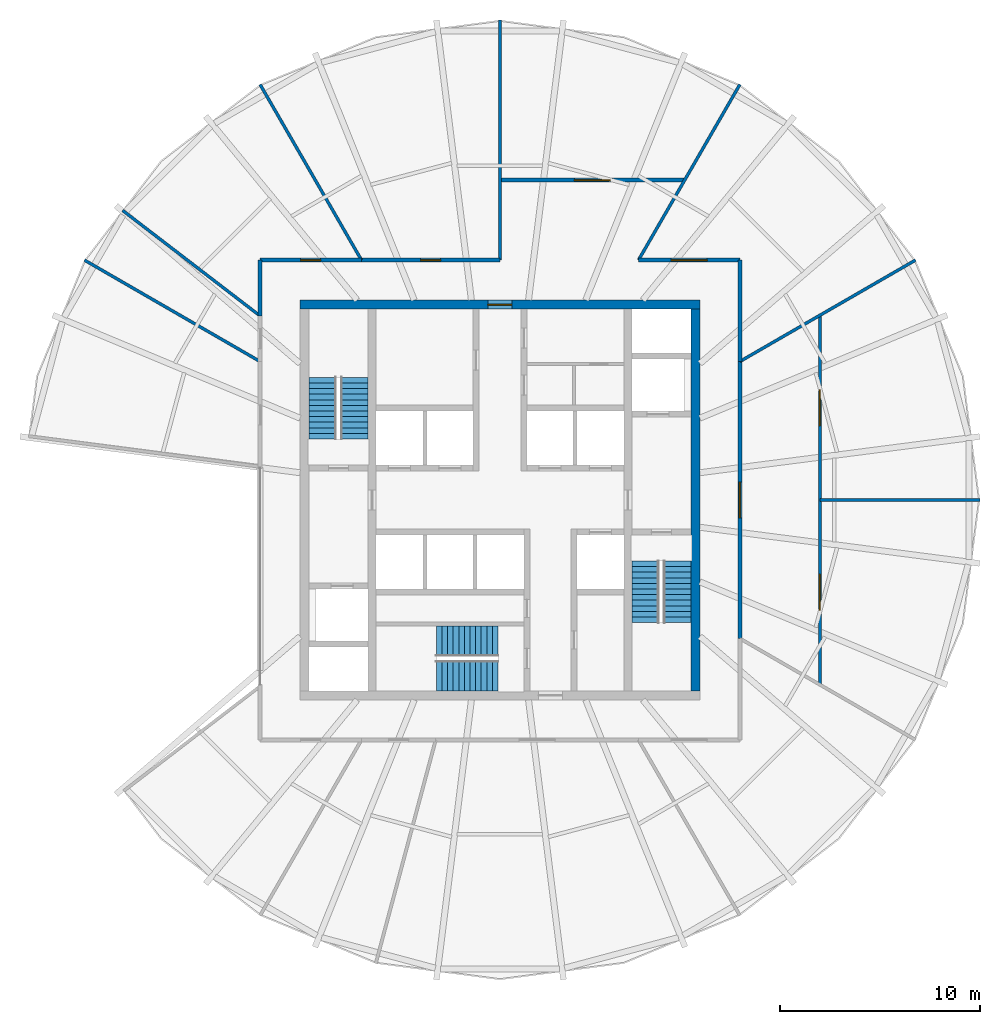
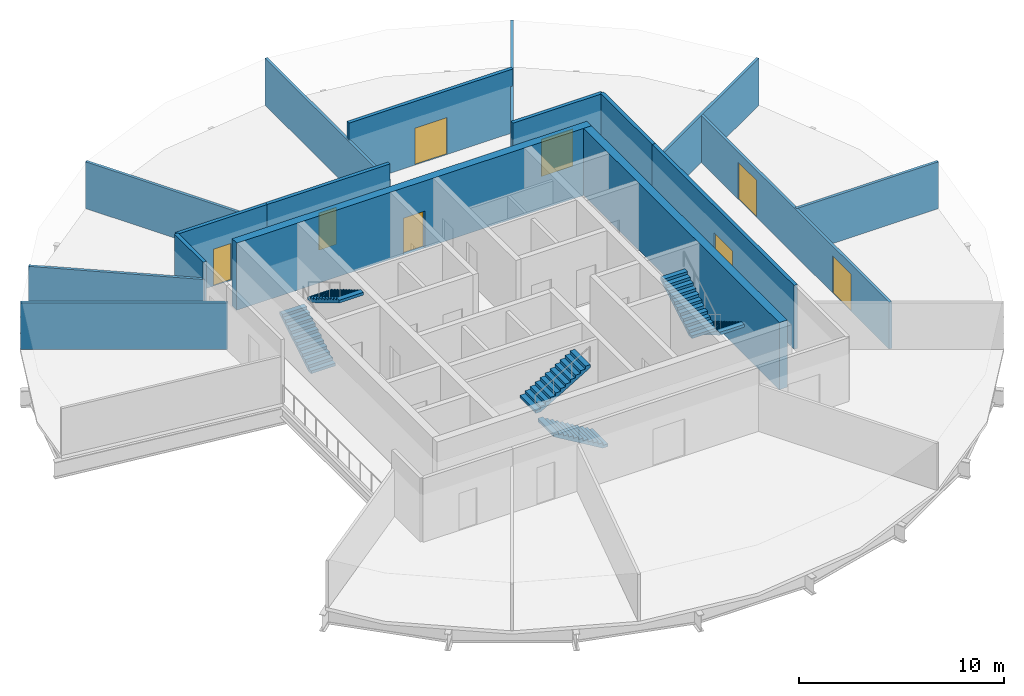
# One storey, part 4 of 5: 17 walls, 8 doors, 6 stair flights, 8 openings, 3 elements without a shape of their own.
"""IFC4 building model written with IfcOpenShell, lengths in metres."""

import ifcopenshell
import ifcopenshell.guid

model = None  # the IFC model being written
_history = None  # IfcOwnerHistory: only IFC2X3 demands one
_inside = {}  # id of a spatial element -> (the spatial element, [elements in it])
_under = {}  # id of a project, library or spatial element -> (it, [spatial elements below it])
_declared = {}  # id of a project -> (the project, [libraries it declares])
_typed = {}  # id of a type object -> (the type object, [elements of that type])
_made_of = {}  # id of a material, layer set ... -> (it, [elements and type objects made of it])


def new_model(schema):
    """Start an empty IFC model of exactly this schema.

    Asked for "IFC4X3", IfcOpenShell would pick the latest addendum, in which some entities
    have other attributes; the version numbers below select the first issue.
    IFC2X3 requires an IfcOwnerHistory on every rooted entity: one is made here for all.
    """
    global model, _history
    if schema == "IFC4X3":
        model = ifcopenshell.file(schema_version=(4, 3, 0, 0))
    else:
        model = ifcopenshell.file(schema=schema)
    _inside.clear()
    _under.clear()
    _declared.clear()
    _typed.clear()
    _made_of.clear()
    _history = None
    if model.schema == "IFC2X3":
        org = make("IfcOrganization", Name="unknown")
        user = make(
            "IfcPersonAndOrganization",
            ThePerson=make("IfcPerson", FamilyName="unknown"),
            TheOrganization=org,
        )
        app = make(
            "IfcApplication",
            ApplicationDeveloper=org,
            Version="unknown",
            ApplicationFullName="unknown",
            ApplicationIdentifier="unknown",
        )
        _history = make(
            "IfcOwnerHistory",
            OwningUser=user,
            OwningApplication=app,
            ChangeAction="ADDED",
            CreationDate=0,
        )
    return model


def make(cls, **values):
    """One entity of the class cls with the attributes given. An attribute that is None is left unset."""
    return model.create_entity(
        cls, **{name: value for name, value in values.items() if value is not None}
    )


def rooted(cls, **values):
    """An entity with a GlobalId (a new one), such as an element, a storey or a relation."""
    return make(cls, GlobalId=ifcopenshell.guid.new(), OwnerHistory=_history, **values)


def si_unit(unit_type, name, prefix=None):
    """IfcSIUnit, for example si_unit("LENGTHUNIT", "METRE", prefix="MILLI")."""
    return make("IfcSIUnit", UnitType=unit_type, Prefix=prefix, Name=name)


def assignment(units):
    """IfcUnitAssignment: the units of a project."""
    return None if units is None else make("IfcUnitAssignment", Units=units)


def point(xyz):
    """IfcCartesianPoint."""
    return None if xyz is None else make("IfcCartesianPoint", Coordinates=xyz)


def direction(xyz):
    """IfcDirection."""
    return None if xyz is None else make("IfcDirection", DirectionRatios=xyz)


def frame(location, z_axis=None, x_axis=None):
    """IfcAxis2Placement3D, a coordinate frame: its origin and axes. An axis left out is left unset."""
    return make(
        "IfcAxis2Placement3D",
        Location=point(location),
        Axis=direction(z_axis),
        RefDirection=direction(x_axis),
    )


def frame_2d(location, x_axis=None):
    """IfcAxis2Placement2D, a coordinate frame in the plane: its origin and x axis."""
    return make(
        "IfcAxis2Placement2D", Location=point(location), RefDirection=direction(x_axis)
    )


def origin():
    """The frame at (0, 0, 0) with its axes left unset."""
    return frame((0.0, 0.0, 0.0))


def place(relative_to, where):
    """IfcLocalPlacement: puts the frame where relative to a parent placement (None: the world)."""
    return make(
        "IfcLocalPlacement", PlacementRelTo=relative_to, RelativePlacement=where
    )


def context(
    kind, dimensions, precision=None, world=None, true_north=None, identifier=None
):
    """IfcGeometricRepresentationContext, for example the 3D "Model" context."""
    return make(
        "IfcGeometricRepresentationContext",
        ContextIdentifier=identifier,
        ContextType=kind,
        CoordinateSpaceDimension=dimensions,
        Precision=precision,
        WorldCoordinateSystem=world,
        TrueNorth=true_north,
    )


def subcontext(parent, identifier, kind, view, scale=None):
    """IfcGeometricRepresentationSubContext, for example "Body" below "Model"."""
    return make(
        "IfcGeometricRepresentationSubContext",
        ContextIdentifier=identifier,
        ContextType=kind,
        ParentContext=parent,
        TargetScale=scale,
        TargetView=view,
    )


def project(units=None, contexts=None):
    """IfcProject with its units and contexts."""
    return rooted(
        "IfcProject",
        Name="project",
        RepresentationContexts=contexts,
        UnitsInContext=assignment(units),
    )


def spatial(cls, under=None, at=None, **own):
    """A site, building, storey or space (cls), placed at a placement, below another one or the project."""
    s = rooted(cls, ObjectPlacement=at, **own)
    if under is not None:
        _under.setdefault(under.id(), (under, []))[1].append(s)
    return s


def polyline(points):
    """IfcPolyline through the points."""
    return make("IfcPolyline", Points=[point(p) for p in points])


def profile(cls, at=None, kind="AREA", **sizes):
    """A parametric profile (cls). Its sizes go by their IFC names, for example OverallWidth=200.0."""
    return make(cls, ProfileType=kind, Position=at, **sizes)


def rectangle(**sizes):
    """IfcRectangleProfileDef."""
    return profile("IfcRectangleProfileDef", **sizes)


def outline(outer, holes=None, kind="AREA"):
    """IfcArbitraryClosedProfileDef: a profile drawn as a closed curve; with holes, ...WithVoids."""
    if holes is None:
        return make("IfcArbitraryClosedProfileDef", ProfileType=kind, OuterCurve=outer)
    return make(
        "IfcArbitraryProfileDefWithVoids",
        ProfileType=kind,
        OuterCurve=outer,
        InnerCurves=holes,
    )


def extrude(swept, where, along, depth):
    """IfcExtrudedAreaSolid: the profile swept, set in the frame where, extruded along a direction by depth."""
    return make(
        "IfcExtrudedAreaSolid",
        SweptArea=swept,
        Position=where,
        ExtrudedDirection=direction(along),
        Depth=depth,
    )


def shape(context_of_items, identifier, shape_type, items):
    """IfcShapeRepresentation: the items that make up one representation, for example the "Body"."""
    return make(
        "IfcShapeRepresentation",
        ContextOfItems=context_of_items,
        RepresentationIdentifier=identifier,
        RepresentationType=shape_type,
        Items=items,
    )


def material(Name=None, Category=None):
    """IfcMaterial."""
    return make("IfcMaterial", Name=Name, Category=Category)


def layer(
    of_material, thickness, ventilated=None, Name=None, Category=None, Priority=None
):
    """IfcMaterialLayer: one layer of a wall or slab, of a material (None: an air gap)."""
    return make(
        "IfcMaterialLayer",
        Material=of_material,
        LayerThickness=thickness,
        IsVentilated=ventilated,
        Name=Name,
        Category=Category,
        Priority=Priority,
    )


def layer_set(layers, Name=None):
    """IfcMaterialLayerSet."""
    return make("IfcMaterialLayerSet", MaterialLayers=layers, LayerSetName=Name)


def made_of(thing, what):
    """Note that an element or type object is made of a material, layer set ...; save() writes the relation."""
    if what is not None:
        _made_of.setdefault(what.id(), (what, []))[1].append(thing)
    return thing


def type_object(cls, material=None, **own):
    """A type object (cls), such as IfcWallType, which elements share."""
    return made_of(rooted(cls, **own), material)


def element(
    cls,
    number,
    at=None,
    inside=None,
    cuts=None,
    type_object=None,
    material=None,
    context=None,
    identifier="Body",
    shape_type=None,
    held_by="IfcProductDefinitionShape",
    body=None,
    shapes=None,
    **own,
):
    """One element of the class cls, such as IfcWall. Its Tag is "e" and its number.

    at: its placement. inside: the storey or other place that contains it. cuts: it is an
    opening in that element (IfcRelVoidsElement). A single representation is given by context,
    identifier, shape_type and body (its items); several are given by shapes. held_by: the class
    of the entity that holds the representations. save() writes the other relations.
    """
    e = rooted(cls, Tag="e%d" % number, ObjectPlacement=at, **own)
    if body is not None:
        shapes = [shape(context, identifier, shape_type, body)]
    if shapes is not None:
        e.Representation = make(held_by, Representations=shapes)
    if inside is not None:
        _inside.setdefault(inside.id(), (inside, []))[1].append(e)
    if cuts is not None:
        rooted(
            "IfcRelVoidsElement", RelatingBuildingElement=cuts, RelatedOpeningElement=e
        )
    if type_object is not None:
        _typed.setdefault(type_object.id(), (type_object, []))[1].append(e)
    return made_of(e, material)


def fill(opening, filler):
    """IfcRelFillsElement: the door or window that sits in an opening."""
    return rooted(
        "IfcRelFillsElement",
        RelatingOpeningElement=opening,
        RelatedBuildingElement=filler,
    )


def aggregate(whole, parts):
    """IfcRelAggregates: a whole, such as a stair, and the parts it consists of."""
    return rooted("IfcRelAggregates", RelatingObject=whole, RelatedObjects=parts)


def save(model, path):
    """Write the relations noted so far, then the file.

    IfcRelAggregates (storeys below a building ...), IfcRelContainedInSpatialStructure (elements
    in a storey), IfcRelDefinesByType, IfcRelAssociatesMaterial and IfcRelDeclares: one each for
    every whole, place, type object, material and project.
    """
    for whole, parts in _under.values():
        aggregate(whole, parts)
    for where, things in _inside.values():
        rooted(
            "IfcRelContainedInSpatialStructure",
            RelatedElements=things,
            RelatingStructure=where,
        )
    for kind, things in _typed.values():
        rooted("IfcRelDefinesByType", RelatedObjects=things, RelatingType=kind)
    for what, things in _made_of.values():
        rooted("IfcRelAssociatesMaterial", RelatedObjects=things, RelatingMaterial=what)
    for by, libraries in _declared.values():
        rooted("IfcRelDeclares", RelatingContext=by, RelatedDefinitions=libraries)
    model.write(path)


model = new_model("IFC4")

# Units and contexts
model_context = context("Model", 3, precision=1e-05, world=origin(), true_north=direction((0.0, 1.0)))
body_context = subcontext(model_context, "Body", "Model", "MODEL_VIEW")
ifc_project = project(units=[si_unit("LENGTHUNIT", "METRE"), si_unit("AREAUNIT", "SQUARE_METRE"), si_unit("VOLUMEUNIT", "CUBIC_METRE"), si_unit("PLANEANGLEUNIT", "RADIAN"), si_unit("MASSUNIT", "GRAM", prefix="KILO")], contexts=[model_context])

# Site, building, storey
site_placement = place(None, origin())
site = spatial("IfcSite", under=ifc_project, at=site_placement, CompositionType="ELEMENT")
building_placement = place(site_placement, origin())
building = spatial("IfcBuilding", under=site, at=building_placement, Name="Golbaran Civic Tower", CompositionType="ELEMENT")
storey_placement = place(building_placement, frame((0.0, 0.0, 175.0)))
storey = spatial("IfcBuildingStorey", under=building, at=storey_placement, Name="L42", CompositionType="ELEMENT", Elevation=175.0)

# Wall, opening, door
ifc_material_1 = material(Name="Concrete C50/60", Category="concrete")
ifc_layer_1 = layer(ifc_material_1, 0.449951171875, Name="Concrete C50/60")
ifc_layer_set_1 = layer_set([ifc_layer_1], Name="Concrete C50/60")
wall_type_1 = type_object("IfcWallType", Name="CORE WALL CONCRETE 450", PredefinedType="SOLIDWALL", material=ifc_layer_set_1)
wall_1_placement = place(storey_placement, frame((-10.0, 9.77490234375, 0.0), z_axis=(0.0, 0.0, 1.0), x_axis=(1.0, 0.0, 0.0)))
wall_1 = element("IfcWall", 1, at=wall_1_placement, inside=storey, type_object=wall_type_1, Name="Core wall CN L42", PredefinedType="SOLIDWALL", context=body_context, shape_type="SweptSolid", body=[
    extrude(rectangle(XDim=20.0, YDim=0.449951171875, at=frame_2d((10.0, 0.0))), origin(), (0.0, 0.0, 1.0), 4.0),
])
opening_1_placement = place(wall_1_placement, frame((9.39990234375, 0.0, 0.0)))
opening_1 = element("IfcOpeningElement", 2, at=opening_1_placement, cuts=wall_1, Name="Opening L42.CN", PredefinedType="OPENING", context=body_context, shape_type="SweptSolid", body=[
    extrude(rectangle(XDim=1.199951171875, YDim=2.199951171875, at=frame_2d((0.60009765625, 1.10009765625))), frame((0.0, 0.23486328125, 0.0), z_axis=(0.0, -1.0, 0.0), x_axis=(1.0, 0.0, 0.0)), (0.0, 0.0, 1.0), 0.469970703125),
])
ifc_material_2 = material(Name="Timber door set in steel frame", Category="steel")
door_type_1 = type_object("IfcDoorType", Name="CORE DOOR 1200x2200", OperationType="DOUBLE_DOOR_SINGLE_SWING", PredefinedType="DOOR", material=ifc_material_2)
door_1_placement = place(opening_1_placement, origin())
door_1 = element("IfcDoor", 3, at=door_1_placement, inside=storey, type_object=door_type_1, Name="Core door north", OperationType="DOUBLE_DOOR_SINGLE_SWING", OverallHeight=2.199951171875, OverallWidth=1.199951171875, PredefinedType="DOOR", context=body_context, shape_type="SweptSolid", body=[
    extrude(rectangle(XDim=1.199951171875, YDim=2.199951171875, at=frame_2d((0.60009765625, 1.10009765625))), frame((0.0, 0.02490234375, 0.0), z_axis=(0.0, -1.0, 0.0), x_axis=(1.0, 0.0, 0.0)), (0.0, 0.0, 1.0), 0.050048828125),
])
fill(opening_1, door_1)

# Wall
wall_2_placement = place(storey_placement, frame((9.77490234375, -9.550048828125, 0.0), z_axis=(0.0, 0.0, 1.0), x_axis=(0.0, 1.0, 0.0)))
element("IfcWall", 4, at=wall_2_placement, inside=storey, type_object=wall_type_1, Name="Core wall CE L42", PredefinedType="SOLIDWALL", context=body_context, shape_type="SweptSolid", body=[
    extrude(rectangle(XDim=19.10009765625, YDim=0.449951171875, at=frame_2d((9.550048828125, 0.0))), origin(), (0.0, 0.0, 1.0), 4.0),
])

# Wall, opening, door
ifc_material_3 = material(Name="Gypsum board on steel studs, fire-rated", Category="steel")
ifc_layer_2 = layer(ifc_material_3, 0.199951171875, Name="Gypsum board on steel studs, fire-rated")
ifc_layer_set_2 = layer_set([ifc_layer_2], Name="Gypsum board on steel studs, fire-rated")
wall_type_2 = type_object("IfcWallType", Name="CORRIDOR WALL 200", PredefinedType="PARTITIONING", material=ifc_layer_set_2)
wall_3_placement = place(storey_placement, frame((12.0, -6.92822265625, 0.0), z_axis=(0.0, 0.0, 1.0), x_axis=(0.0, 1.0, 0.0)))
wall_3 = element("IfcWall", 5, at=wall_3_placement, inside=storey, type_object=wall_type_2, Name="Corridor wall L42", PredefinedType="PARTITIONING", context=body_context, shape_type="SweptSolid", body=[
    extrude(rectangle(XDim=13.8564453125, YDim=0.199951171875, at=frame_2d((6.92822265625, 0.0))), origin(), (0.0, 0.0, 1.0), 3.800048828125),
])
opening_2_placement = place(wall_3_placement, frame((6.0283203125, 0.0, 0.0)))
opening_2 = element("IfcOpeningElement", 6, at=opening_2_placement, cuts=wall_3, Name="Opening L42.04", PredefinedType="OPENING", context=body_context, shape_type="SweptSolid", body=[
    extrude(rectangle(XDim=1.800048828125, YDim=2.199951171875, at=frame_2d((0.89990234375, 1.10009765625))), frame((0.0, 0.10986328125, 0.0), z_axis=(0.0, -1.0, 0.0), x_axis=(1.0, 0.0, 0.0)), (0.0, 0.0, 1.0), 0.219970703125),
])
door_type_2 = type_object("IfcDoorType", Name="OFFICE DOUBLE DOOR 1800x2200", OperationType="DOUBLE_DOOR_SINGLE_SWING", PredefinedType="DOOR", material=ifc_material_2)
door_2_placement = place(opening_2_placement, origin())
door_2 = element("IfcDoor", 7, at=door_2_placement, inside=storey, type_object=door_type_2, Name="Open Office door L42", OperationType="DOUBLE_DOOR_SINGLE_SWING", OverallHeight=2.199951171875, OverallWidth=1.800048828125, PredefinedType="DOOR", context=body_context, shape_type="SweptSolid", body=[
    extrude(rectangle(XDim=1.800048828125, YDim=2.199951171875, at=frame_2d((0.89990234375, 1.10009765625))), frame((0.0, 0.02490234375, 0.0), z_axis=(0.0, -1.0, 0.0), x_axis=(1.0, 0.0, 0.0)), (0.0, 0.0, 1.0), 0.050048828125),
])
fill(opening_2, door_2)

# Wall
wall_4_placement = place(storey_placement, frame((12.0, 6.92822265625, 0.0), z_axis=(0.0, 0.0, 1.0), x_axis=(0.0, 1.0, 0.0)))
element("IfcWall", 8, at=wall_4_placement, inside=storey, type_object=wall_type_2, Name="Corridor wall L42", PredefinedType="PARTITIONING", context=body_context, shape_type="SweptSolid", body=[
    extrude(rectangle(XDim=5.07177734375, YDim=0.199951171875, at=frame_2d((2.535888671875, 0.0))), origin(), (0.0, 0.0, 1.0), 3.800048828125),
])

# Wall, opening, door
wall_5_placement = place(storey_placement, frame((12.0, 12.0, 0.0), z_axis=(0.0, 0.0, 1.0), x_axis=(-1.0, 0.0, 0.0)))
wall_5 = element("IfcWall", 9, at=wall_5_placement, inside=storey, type_object=wall_type_2, Name="Corridor wall L42", PredefinedType="PARTITIONING", context=body_context, shape_type="SweptSolid", body=[
    extrude(rectangle(XDim=5.07177734375, YDim=0.199951171875, at=frame_2d((2.535888671875, 0.0))), origin(), (0.0, 0.0, 1.0), 3.800048828125),
])
opening_3_placement = place(wall_5_placement, frame((1.635986328125, 0.0, 0.0)))
opening_3 = element("IfcOpeningElement", 10, at=opening_3_placement, cuts=wall_5, Name="Opening L42.05", PredefinedType="OPENING", context=body_context, shape_type="SweptSolid", body=[
    extrude(rectangle(XDim=1.800048828125, YDim=2.199951171875, at=frame_2d((0.89990234375, 1.10009765625))), frame((0.0, 0.10986328125, 0.0), z_axis=(0.0, -1.0, 0.0), x_axis=(1.0, 0.0, 0.0)), (0.0, 0.0, 1.0), 0.219970703125),
])
door_3_placement = place(opening_3_placement, origin())
door_3 = element("IfcDoor", 11, at=door_3_placement, inside=storey, type_object=door_type_2, Name="Open Office door L42", OperationType="DOUBLE_DOOR_SINGLE_SWING", OverallHeight=2.199951171875, OverallWidth=1.800048828125, PredefinedType="DOOR", context=body_context, shape_type="SweptSolid", body=[
    extrude(rectangle(XDim=1.800048828125, YDim=2.199951171875, at=frame_2d((0.89990234375, 1.10009765625))), frame((0.0, 0.02490234375, 0.0), z_axis=(0.0, -1.0, 0.0), x_axis=(1.0, 0.0, 0.0)), (0.0, 0.0, 1.0), 0.050048828125),
])
fill(opening_3, door_3)

wall_6_placement = place(storey_placement, frame((0.0, 12.0, 0.0), z_axis=(0.0, 0.0, 1.0), x_axis=(-1.0, 0.0, 0.0)))
wall_6 = element("IfcWall", 12, at=wall_6_placement, inside=storey, type_object=wall_type_2, Name="Corridor wall L42", PredefinedType="PARTITIONING", context=body_context, shape_type="SweptSolid", body=[
    extrude(rectangle(XDim=6.92822265625, YDim=0.199951171875, at=frame_2d((3.464111328125, 0.0))), origin(), (0.0, 0.0, 1.0), 3.800048828125),
])
opening_4_placement = place(wall_6_placement, frame((2.964111328125, 0.0, 0.0)))
opening_4 = element("IfcOpeningElement", 13, at=opening_4_placement, cuts=wall_6, Name="Opening L42.06", PredefinedType="OPENING", context=body_context, shape_type="SweptSolid", body=[
    extrude(rectangle(XDim=1.0, YDim=2.199951171875, at=frame_2d((0.5, 1.10009765625))), frame((0.0, 0.10986328125, 0.0), z_axis=(0.0, -1.0, 0.0), x_axis=(1.0, 0.0, 0.0)), (0.0, 0.0, 1.0), 0.219970703125),
])
door_type_3 = type_object("IfcDoorType", Name="OFFICE DOOR 1000x2200", OperationType="SINGLE_SWING_LEFT", PredefinedType="DOOR", material=ifc_material_2)
door_4_placement = place(opening_4_placement, origin())
door_4 = element("IfcDoor", 14, at=door_4_placement, inside=storey, type_object=door_type_3, Name="Project Room door L42", OperationType="SINGLE_SWING_RIGHT", OverallHeight=2.199951171875, OverallWidth=1.0, PredefinedType="DOOR", context=body_context, shape_type="SweptSolid", body=[
    extrude(rectangle(XDim=1.0, YDim=2.199951171875, at=frame_2d((0.5, 1.10009765625))), frame((0.0, 0.02490234375, 0.0), z_axis=(0.0, -1.0, 0.0), x_axis=(1.0, 0.0, 0.0)), (0.0, 0.0, 1.0), 0.050048828125),
])
fill(opening_4, door_4)

wall_7_placement = place(storey_placement, frame((-6.92822265625, 12.0, 0.0), z_axis=(0.0, 0.0, 1.0), x_axis=(-1.0, 0.0, 0.0)))
wall_7 = element("IfcWall", 15, at=wall_7_placement, inside=storey, type_object=wall_type_2, Name="Corridor wall L42", PredefinedType="PARTITIONING", context=body_context, shape_type="SweptSolid", body=[
    extrude(rectangle(XDim=5.07177734375, YDim=0.199951171875, at=frame_2d((2.535888671875, 0.0))), origin(), (0.0, 0.0, 1.0), 3.800048828125),
])
opening_5_placement = place(wall_7_placement, frame((2.035888671875, 0.0, 0.0)))
opening_5 = element("IfcOpeningElement", 16, at=opening_5_placement, cuts=wall_7, Name="Opening L42.07", PredefinedType="OPENING", context=body_context, shape_type="SweptSolid", body=[
    extrude(rectangle(XDim=1.0, YDim=2.199951171875, at=frame_2d((0.5, 1.10009765625))), frame((0.0, 0.10986328125, 0.0), z_axis=(0.0, -1.0, 0.0), x_axis=(1.0, 0.0, 0.0)), (0.0, 0.0, 1.0), 0.219970703125),
])
door_5_placement = place(opening_5_placement, origin())
door_5 = element("IfcDoor", 17, at=door_5_placement, inside=storey, type_object=door_type_3, Name="Print and Copy Room door L42", OperationType="SINGLE_SWING_RIGHT", OverallHeight=2.199951171875, OverallWidth=1.0, PredefinedType="DOOR", context=body_context, shape_type="SweptSolid", body=[
    extrude(rectangle(XDim=1.0, YDim=2.199951171875, at=frame_2d((0.5, 1.10009765625))), frame((0.0, 0.02490234375, 0.0), z_axis=(0.0, -1.0, 0.0), x_axis=(1.0, 0.0, 0.0)), (0.0, 0.0, 1.0), 0.050048828125),
])
fill(opening_5, door_5)

# Wall
wall_8_placement = place(storey_placement, frame((-12.0, 12.0, 0.0), z_axis=(0.0, 0.0, 1.0), x_axis=(0.0, -1.0, 0.0)))
element("IfcWall", 18, at=wall_8_placement, inside=storey, type_object=wall_type_2, Name="Corridor wall L42", PredefinedType="PARTITIONING", context=body_context, shape_type="SweptSolid", body=[
    extrude(rectangle(XDim=2.7919921875, YDim=0.199951171875, at=frame_2d((1.39599609375, 0.0))), origin(), (0.0, 0.0, 1.0), 3.800048828125),
])

# Wall, opening, door
ifc_material_4 = material(Name="Gypsum board on steel studs, fire-rated, glazed panels", Category="steel")
ifc_layer_3 = layer(ifc_material_4, 0.199951171875, Name="Gypsum board on steel studs, fire-rated, glazed panels")
ifc_layer_set_3 = layer_set([ifc_layer_3], Name="Gypsum board on steel studs, fire-rated, glazed panels")
wall_type_3 = type_object("IfcWallType", Name="GALLERY WALL 200", PredefinedType="PARTITIONING", material=ifc_layer_set_3)
wall_9_placement = place(storey_placement, frame((9.237548828125, 16.0, 0.0), z_axis=(0.0, 0.0, 1.0), x_axis=(-1.0, 0.0, 0.0)))
wall_9 = element("IfcWall", 19, at=wall_9_placement, inside=storey, type_object=wall_type_3, Name="Gallery wall L42", PredefinedType="PARTITIONING", context=body_context, shape_type="SweptSolid", body=[
    extrude(rectangle(XDim=9.237548828125, YDim=0.199951171875, at=frame_2d((4.61865234375, 0.0))), origin(), (0.0, 0.0, 1.0), 3.800048828125),
])
opening_6_placement = place(wall_9_placement, frame((3.71875, 0.0, 0.0)))
opening_6 = element("IfcOpeningElement", 20, at=opening_6_placement, cuts=wall_9, Name="Opening L42.03", PredefinedType="OPENING", context=body_context, shape_type="SweptSolid", body=[
    extrude(rectangle(XDim=1.800048828125, YDim=2.199951171875, at=frame_2d((0.89990234375, 1.10009765625))), frame((0.0, 0.10986328125, 0.0), z_axis=(0.0, -1.0, 0.0), x_axis=(1.0, 0.0, 0.0)), (0.0, 0.0, 1.0), 0.219970703125),
])
door_6_placement = place(opening_6_placement, origin())
door_6 = element("IfcDoor", 21, at=door_6_placement, inside=storey, type_object=door_type_2, Name="Office door L42", OperationType="DOUBLE_DOOR_SINGLE_SWING", OverallHeight=2.199951171875, OverallWidth=1.800048828125, PredefinedType="DOOR", context=body_context, shape_type="SweptSolid", body=[
    extrude(rectangle(XDim=1.800048828125, YDim=2.199951171875, at=frame_2d((0.89990234375, 1.10009765625))), frame((0.0, 0.02490234375, 0.0), z_axis=(0.0, -1.0, 0.0), x_axis=(1.0, 0.0, 0.0)), (0.0, 0.0, 1.0), 0.050048828125),
])
fill(opening_6, door_6)

# Walls
ifc_material_5 = material(Name="Gypsum board on steel studs", Category="steel")
ifc_layer_4 = layer(ifc_material_5, 0.14990234375, Name="Gypsum board on steel studs")
ifc_layer_set_4 = layer_set([ifc_layer_4], Name="Gypsum board on steel studs")
wall_type_4 = type_object("IfcWallType", Name="OFFICE PARTITION 150", PredefinedType="PARTITIONING", material=ifc_layer_set_4)
for number, where, z_axis, x_axis, name in (
    (22, (12.0, 6.92822265625, 0.0), (0.0, 0.0, 1.0), (0.866025941747, 0.49999906822, 0.0), "Partition 30 L42"),
    (23, (6.92822265625, 12.0, 0.0), (0.0, 0.0, 1.0), (0.49999906822, 0.866025941747, 0.0), "Partition 60 L42"),
):
    element("IfcWall", number, at=place(storey_placement, frame(where, z_axis=z_axis, x_axis=x_axis)), inside=storey, type_object=wall_type_4, Name=name, PredefinedType="PARTITIONING", context=body_context, shape_type="SweptSolid", body=[
        extrude(rectangle(XDim=10.1357421875, YDim=0.14990234375, at=frame_2d((5.06787109375, 0.0))), origin(), (0.0, 0.0, 1.0), 2.7900390625),
    ])
wall_10_placement = place(storey_placement, frame((0.0, 12.0, 0.0), z_axis=(0.0, 0.0, 1.0), x_axis=(0.0, 1.0, 0.0)))
element("IfcWall", 24, at=wall_10_placement, inside=storey, type_object=wall_type_4, Name="Partition 90 L42", PredefinedType="PARTITIONING", context=body_context, shape_type="SweptSolid", body=[
    extrude(rectangle(XDim=11.9921875, YDim=0.14990234375, at=frame_2d((5.99609375, 0.0))), origin(), (0.0, 0.0, 1.0), 2.7900390625),
])
wall_11_placement = place(storey_placement, frame((-6.92822265625, 12.0, 0.0), z_axis=(0.0, 0.0, 1.0), x_axis=(-0.49999906822, 0.866025941747, 0.0)))
element("IfcWall", 25, at=wall_11_placement, inside=storey, type_object=wall_type_4, Name="Partition 120 L42", PredefinedType="PARTITIONING", context=body_context, shape_type="SweptSolid", body=[
    extrude(rectangle(XDim=10.1357421875, YDim=0.14990234375, at=frame_2d((5.06787109375, 0.0))), origin(), (0.0, 0.0, 1.0), 2.7900390625),
])
wall_12_placement = place(storey_placement, frame((-12.0, 9.2080078125, 0.0), z_axis=(0.0, 0.0, 1.0), x_axis=(-0.793369477609, 0.60874039787, 0.0)))
element("IfcWall", 26, at=wall_12_placement, inside=storey, type_object=wall_type_4, Name="Partition 142.5 L42", PredefinedType="PARTITIONING", context=body_context, shape_type="SweptSolid", body=[
    extrude(rectangle(XDim=8.661376953125, YDim=0.14990234375, at=frame_2d((4.33056640625, 0.0))), origin(), (0.0, 0.0, 1.0), 2.7900390625),
])
wall_13_placement = place(storey_placement, frame((-12.0, 6.92822265625, 0.0), z_axis=(0.0, 0.0, 1.0), x_axis=(-0.866025941747, 0.49999906822, 0.0)))
element("IfcWall", 27, at=wall_13_placement, inside=storey, type_object=wall_type_4, Name="Partition 150 L42", PredefinedType="PARTITIONING", context=body_context, shape_type="SweptSolid", body=[
    extrude(rectangle(XDim=10.1357421875, YDim=0.14990234375, at=frame_2d((5.06787109375, 0.0))), origin(), (0.0, 0.0, 1.0), 2.7900390625),
])

# Wall, openings, doors
wall_14_placement = place(storey_placement, frame((16.0, -9.237548828125, 0.0), z_axis=(0.0, 0.0, 1.0), x_axis=(0.0, 1.0, 0.0)))
wall_14 = element("IfcWall", 28, at=wall_14_placement, inside=storey, type_object=wall_type_4, Name="Suite partition L42", PredefinedType="PARTITIONING", context=body_context, shape_type="SweptSolid", body=[
    extrude(rectangle(XDim=18.47509765625, YDim=0.14990234375, at=frame_2d((9.237548828125, 0.0))), origin(), (0.0, 0.0, 1.0), 2.7900390625),
])
opening_7_placement = place(wall_14_placement, frame((3.71875, 0.0, 0.0)))
opening_7 = element("IfcOpeningElement", 29, at=opening_7_placement, cuts=wall_14, Name="Opening L42.01", PredefinedType="OPENING", context=body_context, shape_type="SweptSolid", body=[
    extrude(rectangle(XDim=1.800048828125, YDim=2.199951171875, at=frame_2d((0.89990234375, 1.10009765625))), frame((0.0, 0.0849609375, 0.0), z_axis=(0.0, -1.0, 0.0), x_axis=(1.0, 0.0, 0.0)), (0.0, 0.0, 1.0), 0.169921875),
])
opening_8_placement = place(wall_14_placement, frame((12.956298828125, 0.0, 0.0)))
opening_8 = element("IfcOpeningElement", 30, at=opening_8_placement, cuts=wall_14, Name="Opening L42.02", PredefinedType="OPENING", context=body_context, shape_type="SweptSolid", body=[
    extrude(rectangle(XDim=1.800048828125, YDim=2.199951171875, at=frame_2d((0.89990234375, 1.10009765625))), frame((0.0, 0.0849609375, 0.0), z_axis=(0.0, -1.0, 0.0), x_axis=(1.0, 0.0, 0.0)), (0.0, 0.0, 1.0), 0.169921875),
])
door_7_placement = place(opening_7_placement, origin())
door_7 = element("IfcDoor", 31, at=door_7_placement, inside=storey, type_object=door_type_2, Name="Meeting Room door L42", OperationType="DOUBLE_DOOR_SINGLE_SWING", OverallHeight=2.199951171875, OverallWidth=1.800048828125, PredefinedType="DOOR", context=body_context, shape_type="SweptSolid", body=[
    extrude(rectangle(XDim=1.800048828125, YDim=2.199951171875, at=frame_2d((0.89990234375, 1.10009765625))), frame((0.0, 0.02490234375, 0.0), z_axis=(0.0, -1.0, 0.0), x_axis=(1.0, 0.0, 0.0)), (0.0, 0.0, 1.0), 0.050048828125),
])
fill(opening_7, door_7)
door_8_placement = place(opening_8_placement, origin())
door_8 = element("IfcDoor", 32, at=door_8_placement, inside=storey, type_object=door_type_2, Name="Office door L42", OperationType="DOUBLE_DOOR_SINGLE_SWING", OverallHeight=2.199951171875, OverallWidth=1.800048828125, PredefinedType="DOOR", context=body_context, shape_type="SweptSolid", body=[
    extrude(rectangle(XDim=1.800048828125, YDim=2.199951171875, at=frame_2d((0.89990234375, 1.10009765625))), frame((0.0, 0.02490234375, 0.0), z_axis=(0.0, -1.0, 0.0), x_axis=(1.0, 0.0, 0.0)), (0.0, 0.0, 1.0), 0.050048828125),
])
fill(opening_8, door_8)

# Wall
wall_15_placement = place(storey_placement, frame((16.0, 0.0, 0.0), z_axis=(0.0, 0.0, 1.0), x_axis=(1.0, 0.0, 0.0)))
element("IfcWall", 33, at=wall_15_placement, inside=storey, type_object=wall_type_4, Name="Partition 0 L42", PredefinedType="PARTITIONING", context=body_context, shape_type="SweptSolid", body=[
    extrude(rectangle(XDim=7.9921875, YDim=0.14990234375, at=frame_2d((3.99609375, 0.0))), origin(), (0.0, 0.0, 1.0), 2.7900390625),
])

# Stair, stair flights
ifc_material_6 = material(Name="Concrete C35/45", Category="concrete")
stair_type_1 = type_object("IfcStairType", Name="EXIT STAIR 2950 x 7800, 4000 RISE", PredefinedType="HALF_TURN_STAIR", material=ifc_material_6)
stair_1_placement = place(storey_placement, origin())
stair_1 = element("IfcStair", 34, at=stair_1_placement, inside=storey, type_object=stair_type_1, Name="Stair S1 L42", PredefinedType="HALF_TURN_STAIR")
stair_flight_type_1 = type_object("IfcStairFlightType", Name="STAIR FLIGHT 1375 WIDE", PredefinedType="STRAIGHT", material=ifc_material_6)
stair_flight_1_placement = place(storey_placement, frame((-8.862548828125, 3.050048828125, 0.0), z_axis=(0.0, 0.0, 1.0), x_axis=(0.0, 1.0, 0.0)))
stair_flight_1 = element("IfcStairFlight", 35, at=stair_flight_1_placement, type_object=stair_flight_type_1, Name="ST29578-40 flight 1", NumberOfRisers=12, NumberOfTreads=11, PredefinedType="STRAIGHT", RiserHeight=0.166666667, TreadLength=0.28, context=body_context, shape_type="SweptSolid", body=[
    extrude(outline(polyline([(0.0, 0.0), (0.0, 0.166748046875), (0.280029296875, 0.166748046875), (0.280029296875, 0.333251953125), (0.56005859375, 0.333251953125), (0.56005859375, 0.5), (0.840087890625, 0.5), (0.840087890625, 0.666748046875), (1.1201171875, 0.666748046875), (1.1201171875, 0.833251953125), (1.39990234375, 0.833251953125), (1.39990234375, 1.0), (1.679931640625, 1.0), (1.679931640625, 1.166748046875), (1.9599609375, 1.166748046875), (1.9599609375, 1.333251953125), (2.239990234375, 1.333251953125), (2.239990234375, 1.5), (2.52001953125, 1.5), (2.52001953125, 1.666748046875), (2.800048828125, 1.666748046875), (2.800048828125, 1.833251953125), (3.080078125, 1.833251953125), (3.080078125, 2.0), (3.080078125, 1.658935546875), (0.29296875, 0.0), (0.0, 0.0)])), frame((0.0, 0.6875, 0.0), z_axis=(0.0, -1.0, 0.0), x_axis=(1.0, 0.0, 0.0)), (0.0, 0.0, 1.0), 1.375),
])
stair_flight_2_placement = place(storey_placement, frame((-7.28759765625, 6.1298828125, 2.0), z_axis=(0.0, 0.0, 1.0), x_axis=(0.0, -1.0, 0.0)))
stair_flight_2 = element("IfcStairFlight", 36, at=stair_flight_2_placement, type_object=stair_flight_type_1, Name="ST29578-40 flight 2", NumberOfRisers=12, NumberOfTreads=11, PredefinedType="STRAIGHT", RiserHeight=0.166666667, TreadLength=0.28, context=body_context, shape_type="SweptSolid", body=[
    extrude(outline(polyline([(0.0, 0.0), (0.0, 0.166748046875), (0.280029296875, 0.166748046875), (0.280029296875, 0.333251953125), (0.56005859375, 0.333251953125), (0.56005859375, 0.5), (0.840087890625, 0.5), (0.840087890625, 0.666748046875), (1.1201171875, 0.666748046875), (1.1201171875, 0.833251953125), (1.39990234375, 0.833251953125), (1.39990234375, 1.0), (1.679931640625, 1.0), (1.679931640625, 1.166748046875), (1.9599609375, 1.166748046875), (1.9599609375, 1.333251953125), (2.239990234375, 1.333251953125), (2.239990234375, 1.5), (2.52001953125, 1.5), (2.52001953125, 1.666748046875), (2.800048828125, 1.666748046875), (2.800048828125, 1.833251953125), (3.080078125, 1.833251953125), (3.080078125, 2.0), (3.080078125, 1.658935546875), (0.29296875, 0.0), (0.0, 0.0)])), frame((0.0, 0.6875, 0.0), z_axis=(0.0, -1.0, 0.0), x_axis=(1.0, 0.0, 0.0)), (0.0, 0.0, 1.0), 1.375),
])
aggregate(stair_1, [stair_flight_1, stair_flight_2])

stair_2_placement = place(storey_placement, origin())
stair_2 = element("IfcStair", 37, at=stair_2_placement, inside=storey, type_object=stair_type_1, Name="Stair S2 L42", PredefinedType="HALF_TURN_STAIR")
stair_flight_3_placement = place(storey_placement, frame((8.862548828125, -3.050048828125, 0.0), z_axis=(0.0, 0.0, 1.0), x_axis=(0.0, -1.0, 0.0)))
stair_flight_3 = element("IfcStairFlight", 38, at=stair_flight_3_placement, type_object=stair_flight_type_1, Name="ST29578-40 flight 1", NumberOfRisers=12, NumberOfTreads=11, PredefinedType="STRAIGHT", RiserHeight=0.166666667, TreadLength=0.28, context=body_context, shape_type="SweptSolid", body=[
    extrude(outline(polyline([(0.0, 0.0), (0.0, 0.166748046875), (0.280029296875, 0.166748046875), (0.280029296875, 0.333251953125), (0.56005859375, 0.333251953125), (0.56005859375, 0.5), (0.840087890625, 0.5), (0.840087890625, 0.666748046875), (1.1201171875, 0.666748046875), (1.1201171875, 0.833251953125), (1.39990234375, 0.833251953125), (1.39990234375, 1.0), (1.679931640625, 1.0), (1.679931640625, 1.166748046875), (1.9599609375, 1.166748046875), (1.9599609375, 1.333251953125), (2.239990234375, 1.333251953125), (2.239990234375, 1.5), (2.52001953125, 1.5), (2.52001953125, 1.666748046875), (2.800048828125, 1.666748046875), (2.800048828125, 1.833251953125), (3.080078125, 1.833251953125), (3.080078125, 2.0), (3.080078125, 1.658935546875), (0.29296875, 0.0), (0.0, 0.0)])), frame((0.0, 0.6875, 0.0), z_axis=(0.0, -1.0, 0.0), x_axis=(1.0, 0.0, 0.0)), (0.0, 0.0, 1.0), 1.375),
])
stair_flight_4_placement = place(storey_placement, frame((7.28759765625, -6.1298828125, 2.0), z_axis=(0.0, 0.0, 1.0), x_axis=(0.0, 1.0, 0.0)))
stair_flight_4 = element("IfcStairFlight", 39, at=stair_flight_4_placement, type_object=stair_flight_type_1, Name="ST29578-40 flight 2", NumberOfRisers=12, NumberOfTreads=11, PredefinedType="STRAIGHT", RiserHeight=0.166666667, TreadLength=0.28, context=body_context, shape_type="SweptSolid", body=[
    extrude(outline(polyline([(0.0, 0.0), (0.0, 0.166748046875), (0.280029296875, 0.166748046875), (0.280029296875, 0.333251953125), (0.56005859375, 0.333251953125), (0.56005859375, 0.5), (0.840087890625, 0.5), (0.840087890625, 0.666748046875), (1.1201171875, 0.666748046875), (1.1201171875, 0.833251953125), (1.39990234375, 0.833251953125), (1.39990234375, 1.0), (1.679931640625, 1.0), (1.679931640625, 1.166748046875), (1.9599609375, 1.166748046875), (1.9599609375, 1.333251953125), (2.239990234375, 1.333251953125), (2.239990234375, 1.5), (2.52001953125, 1.5), (2.52001953125, 1.666748046875), (2.800048828125, 1.666748046875), (2.800048828125, 1.833251953125), (3.080078125, 1.833251953125), (3.080078125, 2.0), (3.080078125, 1.658935546875), (0.29296875, 0.0), (0.0, 0.0)])), frame((0.0, 0.6875, 0.0), z_axis=(0.0, -1.0, 0.0), x_axis=(1.0, 0.0, 0.0)), (0.0, 0.0, 1.0), 1.375),
])
aggregate(stair_2, [stair_flight_3, stair_flight_4])

stair_type_2 = type_object("IfcStairType", Name="EXIT STAIR 3250 x 7400, 4000 RISE", PredefinedType="HALF_TURN_STAIR", material=ifc_material_6)
stair_3_placement = place(storey_placement, origin())
stair_3 = element("IfcStair", 40, at=stair_3_placement, inside=storey, type_object=stair_type_2, Name="Stair S3 L42", PredefinedType="HALF_TURN_STAIR")
stair_flight_type_2 = type_object("IfcStairFlightType", Name="STAIR FLIGHT 1525 WIDE", PredefinedType="STRAIGHT", material=ifc_material_6)
stair_flight_5_placement = place(storey_placement, frame((-0.10009765625, -8.78759765625, 0.0), z_axis=(0.0, 0.0, 1.0), x_axis=(-1.0, 0.0, 0.0)))
stair_flight_5 = element("IfcStairFlight", 41, at=stair_flight_5_placement, type_object=stair_flight_type_2, Name="ST32574-40 flight 1", NumberOfRisers=12, NumberOfTreads=11, PredefinedType="STRAIGHT", RiserHeight=0.166666667, TreadLength=0.28, context=body_context, shape_type="SweptSolid", body=[
    extrude(outline(polyline([(0.0, 0.0), (0.0, 0.166748046875), (0.280029296875, 0.166748046875), (0.280029296875, 0.333251953125), (0.56005859375, 0.333251953125), (0.56005859375, 0.5), (0.840087890625, 0.5), (0.840087890625, 0.666748046875), (1.1201171875, 0.666748046875), (1.1201171875, 0.833251953125), (1.39990234375, 0.833251953125), (1.39990234375, 1.0), (1.679931640625, 1.0), (1.679931640625, 1.166748046875), (1.9599609375, 1.166748046875), (1.9599609375, 1.333251953125), (2.239990234375, 1.333251953125), (2.239990234375, 1.5), (2.52001953125, 1.5), (2.52001953125, 1.666748046875), (2.800048828125, 1.666748046875), (2.800048828125, 1.833251953125), (3.080078125, 1.833251953125), (3.080078125, 2.0), (3.080078125, 1.658935546875), (0.29296875, 0.0), (0.0, 0.0)])), frame((0.0, 0.762451171875, 0.0), z_axis=(0.0, -1.0, 0.0), x_axis=(1.0, 0.0, 0.0)), (0.0, 0.0, 1.0), 1.52490234375),
])
stair_flight_6_placement = place(storey_placement, frame((-3.179931640625, -7.0625, 2.0), z_axis=(0.0, 0.0, 1.0), x_axis=(1.0, 0.0, 0.0)))
stair_flight_6 = element("IfcStairFlight", 42, at=stair_flight_6_placement, type_object=stair_flight_type_2, Name="ST32574-40 flight 2", NumberOfRisers=12, NumberOfTreads=11, PredefinedType="STRAIGHT", RiserHeight=0.166666667, TreadLength=0.28, context=body_context, shape_type="SweptSolid", body=[
    extrude(outline(polyline([(0.0, 0.0), (0.0, 0.166748046875), (0.280029296875, 0.166748046875), (0.280029296875, 0.333251953125), (0.56005859375, 0.333251953125), (0.56005859375, 0.5), (0.840087890625, 0.5), (0.840087890625, 0.666748046875), (1.1201171875, 0.666748046875), (1.1201171875, 0.833251953125), (1.39990234375, 0.833251953125), (1.39990234375, 1.0), (1.679931640625, 1.0), (1.679931640625, 1.166748046875), (1.9599609375, 1.166748046875), (1.9599609375, 1.333251953125), (2.239990234375, 1.333251953125), (2.239990234375, 1.5), (2.52001953125, 1.5), (2.52001953125, 1.666748046875), (2.800048828125, 1.666748046875), (2.800048828125, 1.833251953125), (3.080078125, 1.833251953125), (3.080078125, 2.0), (3.080078125, 1.658935546875), (0.29296875, 0.0), (0.0, 0.0)])), frame((0.0, 0.762451171875, 0.0), z_axis=(0.0, -1.0, 0.0), x_axis=(1.0, 0.0, 0.0)), (0.0, 0.0, 1.0), 1.52490234375),
])
aggregate(stair_3, [stair_flight_5, stair_flight_6])

save(model, "model.ifc")
